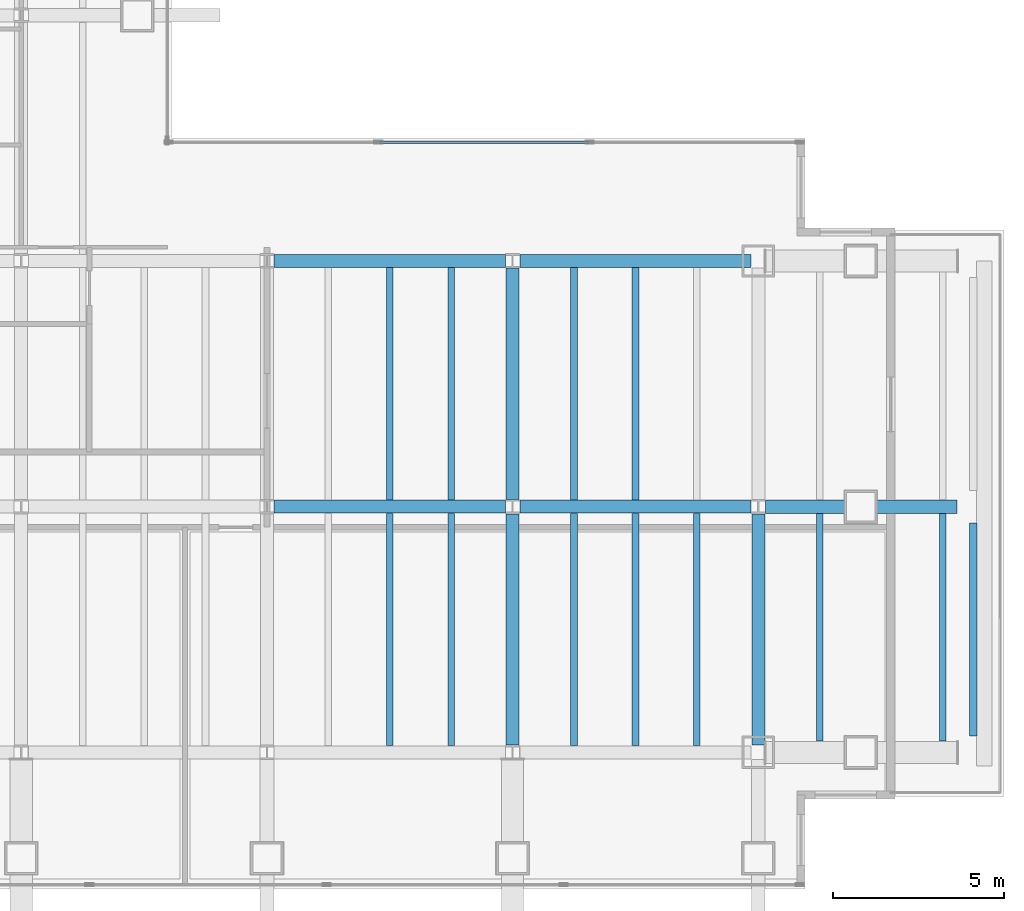
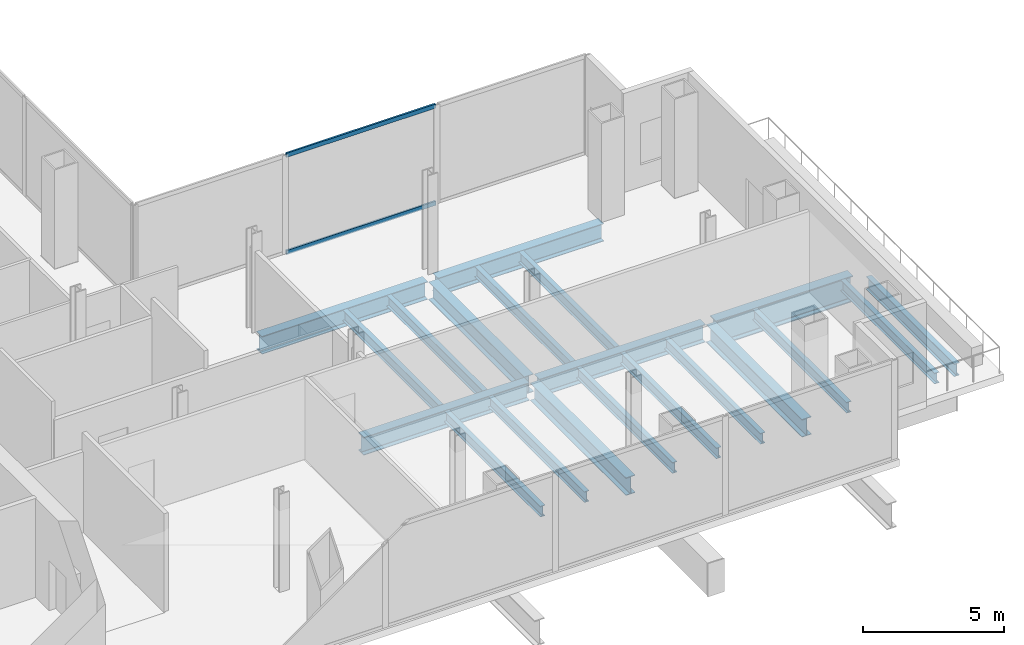
# One storey, part 7 of 16: 20 beams, 2 members, 1 element without a shape of its own.
"""IFC4 building model written with IfcOpenShell, lengths in metres."""

from ifc_helpers import new_model, si_unit, direction, frame, origin, origin_2d, place, context, subcontext, project, spatial, hollow_rectangle, i_section, extrude, material, material_profile, profile_set, type_object, element, aggregate, save


model = new_model("IFC4")

# Units and contexts
model_context = context("Model", 3, precision=1e-05, world=origin(), true_north=direction((0.0, 1.0)))
body_context = subcontext(model_context, "Body", "Model", "MODEL_VIEW")
ifc_project = project(units=[si_unit("LENGTHUNIT", "METRE"), si_unit("AREAUNIT", "SQUARE_METRE"), si_unit("VOLUMEUNIT", "CUBIC_METRE"), si_unit("PLANEANGLEUNIT", "RADIAN"), si_unit("MASSUNIT", "GRAM", prefix="KILO")], contexts=[model_context])

# Site, building, storey
site_placement = place(None, origin())
site = spatial("IfcSite", under=ifc_project, at=site_placement, CompositionType="ELEMENT")
building_placement = place(site_placement, origin())
building = spatial("IfcBuilding", under=site, at=building_placement, Name="Cobrela Telecom Tower", CompositionType="ELEMENT")
storey_placement = place(building_placement, frame((0.0, 0.0, 97.64990234375)))
storey = spatial("IfcBuildingStorey", under=building, at=storey_placement, Name="L24", CompositionType="ELEMENT", Elevation=97.64990234375)

# Beams
ifc_material_1 = material(Name="Steel ASTM A992 Grade 50", Category="steel")
ifc_material_profile_1 = material_profile(ifc_material_1, i_section(OverallWidth=0.381103515625, OverallDepth=0.77197265625, WebThickness=0.0166015625, FlangeThickness=0.027099609375, FilletRadius=0.01904296875, at=origin_2d()), Name="W30X173")
ifc_profile_set_1 = profile_set([ifc_material_profile_1], Name="Steel ASTM A992 Grade 50")
beam_type_1 = type_object("IfcBeamType", Name="BM-GIRD-04", PredefinedType="USERDEFINED", material=ifc_profile_set_1)
for number, where, z_axis, x_axis, name in (
    (1, (29.009521484375, 14.39990234375, -0.685791015625), (1.0, 0.0, 0.0), (0.0, 1.0, 0.0), "L24 Primary Girder X09"),
    (2, (36.20947265625, 14.39990234375, -0.685791015625), (1.0, 0.0, 0.0), (0.0, 1.0, 0.0), "L24 Primary Girder X10"),
    (3, (29.009521484375, 21.60009765625, -0.685791015625), (1.0, 0.0, 0.0), (0.0, 1.0, 0.0), "L24 Primary Girder X13"),
    (4, (36.20947265625, 21.60009765625, -0.685791015625), (1.0, 0.0, 0.0), (0.0, 1.0, 0.0), "L24 Primary Girder X14"),
    (5, (36.0, 7.409423828125, -0.685791015625), (0.0, 1.0, 0.0), (-1.0, 0.0, 0.0), "L24 Primary Girder Y34"),
):
    element("IfcBeam", number, at=place(storey_placement, frame(where, z_axis=z_axis, x_axis=x_axis)), inside=storey, type_object=beam_type_1, Name=name, ObjectType="GIRDER", PredefinedType="USERDEFINED", context=body_context, shape_type="SweptSolid", body=[
        extrude(i_section(OverallWidth=0.381103515625, OverallDepth=0.77197265625, WebThickness=0.0166015625, FlangeThickness=0.027099609375, FilletRadius=0.01904296875, at=origin_2d()), origin(), (0.0, 0.0, 1.0), 6.781005859375),
    ])
beam_1_placement = place(storey_placement, frame((36.0, 14.609619140625, -0.685791015625), z_axis=(0.0, 1.0, 0.0), x_axis=(-1.0, 0.0, 0.0)))
element("IfcBeam", 6, at=beam_1_placement, inside=storey, type_object=beam_type_1, Name="L24 Primary Girder Y35", ObjectType="GIRDER", PredefinedType="USERDEFINED", context=body_context, shape_type="SweptSolid", body=[
    extrude(i_section(OverallWidth=0.381103515625, OverallDepth=0.77197265625, WebThickness=0.0166015625, FlangeThickness=0.027099609375, FilletRadius=0.01904296875, at=origin_2d()), origin(), (0.0, 0.0, 1.0), 6.78076171875),
])
beam_2_placement = place(storey_placement, frame((43.199951171875, 7.409423828125, -0.685791015625), z_axis=(0.0, 1.0, 0.0), x_axis=(-1.0, 0.0, 0.0)))
element("IfcBeam", 7, at=beam_2_placement, inside=storey, type_object=beam_type_1, Name="L24 Primary Girder Y36", ObjectType="GIRDER", PredefinedType="USERDEFINED", context=body_context, shape_type="SweptSolid", body=[
    extrude(i_section(OverallWidth=0.381103515625, OverallDepth=0.77197265625, WebThickness=0.0166015625, FlangeThickness=0.027099609375, FilletRadius=0.01904296875, at=origin_2d()), origin(), (0.0, 0.0, 1.0), 6.781005859375),
])
ifc_material_profile_2 = material_profile(ifc_material_1, i_section(OverallWidth=0.193115234375, OverallDepth=0.467041015625, WebThickness=0.011474609375, FlangeThickness=0.01904296875, FilletRadius=0.012939453125, at=origin_2d()), Name="W18X65")
ifc_profile_set_2 = profile_set([ifc_material_profile_2], Name="Steel ASTM A992 Grade 50")
beam_type_2 = type_object("IfcBeamType", Name="BM-JOIST-03", PredefinedType="JOIST", material=ifc_profile_set_2)
for number, where, z_axis, x_axis, name in (
    (8, (32.39990234375, 7.3955078125, -0.533447265625), (0.0, 1.0, 0.0), (-1.0, 0.0, 0.0), "L24 Secondary Composite Floor Beam J29"),
    (9, (32.39990234375, 14.595458984375, -0.533447265625), (0.0, 1.0, 0.0), (-1.0, 0.0, 0.0), "L24 Secondary Composite Floor Beam J30"),
    (10, (34.199951171875, 7.3955078125, -0.533447265625), (0.0, 1.0, 0.0), (-1.0, 0.0, 0.0), "L24 Secondary Composite Floor Beam J31"),
    (11, (34.199951171875, 14.595458984375, -0.533447265625), (0.0, 1.0, 0.0), (-1.0, 0.0, 0.0), "L24 Secondary Composite Floor Beam J32"),
    (12, (37.800048828125, 7.3955078125, -0.533447265625), (0.0, 1.0, 0.0), (-1.0, 0.0, 0.0), "L24 Secondary Composite Floor Beam J33"),
    (13, (37.800048828125, 14.595458984375, -0.533447265625), (0.0, 1.0, 0.0), (-1.0, 0.0, 0.0), "L24 Secondary Composite Floor Beam J34"),
    (14, (39.60009765625, 7.3955078125, -0.533447265625), (0.0, 1.0, 0.0), (-1.0, 0.0, 0.0), "L24 Secondary Composite Floor Beam J35"),
    (15, (39.60009765625, 14.595458984375, -0.533447265625), (0.0, 1.0, 0.0), (-1.0, 0.0, 0.0), "L24 Secondary Composite Floor Beam J36"),
    (16, (41.39990234375, 7.3955078125, -0.533447265625), (0.0, 1.0, 0.0), (-1.0, 0.0, 0.0), "L24 Secondary Composite Floor Beam J37"),
):
    element("IfcBeam", number, at=place(storey_placement, frame(where, z_axis=z_axis, x_axis=x_axis)), inside=storey, type_object=beam_type_2, Name=name, PredefinedType="JOIST", context=body_context, shape_type="SweptSolid", body=[
        extrude(i_section(OverallWidth=0.193115234375, OverallDepth=0.467041015625, WebThickness=0.011474609375, FlangeThickness=0.01904296875, FilletRadius=0.012939453125, at=origin_2d()), origin(), (0.0, 0.0, 1.0), 6.80908203125),
    ])
for number, where, z_axis, x_axis, name in (
    (17, (45.0, 7.530029296875, -0.533447265625), (0.0, 1.0, 0.0), (-1.0, 0.0, 0.0), "L24 Secondary Composite Floor Beam J39"),
    (18, (48.60009765625, 7.530029296875, -0.533447265625), (0.0, 1.0, 0.0), (-1.0, 0.0, 0.0), "L24 Secondary Composite Floor Beam J41"),
):
    element("IfcBeam", number, at=place(storey_placement, frame(where, z_axis=z_axis, x_axis=x_axis)), inside=storey, type_object=beam_type_2, Name=name, PredefinedType="JOIST", context=body_context, shape_type="SweptSolid", body=[
        extrude(i_section(OverallWidth=0.193115234375, OverallDepth=0.467041015625, WebThickness=0.011474609375, FlangeThickness=0.01904296875, FilletRadius=0.012939453125, at=origin_2d()), origin(), (0.0, 0.0, 1.0), 6.6630859375),
    ])
ifc_material_profile_3 = material_profile(ifc_material_1, i_section(OverallWidth=0.212890625, OverallDepth=0.549072265625, WebThickness=0.0146484375, FlangeThickness=0.023681640625, FilletRadius=0.013916015625, at=origin_2d()), Name="W21X93")
ifc_profile_set_3 = profile_set([ifc_material_profile_3], Name="Steel ASTM A992 Grade 50")
beam_type_3 = type_object("IfcBeamType", Name="BM-SPAND-03", PredefinedType="SPANDREL", material=ifc_profile_set_3)
beam_3_placement = place(storey_placement, frame((49.5, 7.679931640625, -0.574462890625), z_axis=(0.0, 1.0, 0.0), x_axis=(-1.0, 0.0, 0.0)))
element("IfcBeam", 19, at=beam_3_placement, inside=storey, type_object=beam_type_3, Name="L24 Perimeter Spandrel Y38", PredefinedType="SPANDREL", context=body_context, shape_type="SweptSolid", body=[
    extrude(i_section(OverallWidth=0.212890625, OverallDepth=0.549072265625, WebThickness=0.0146484375, FlangeThickness=0.023681640625, FilletRadius=0.013916015625, at=origin_2d()), origin(), (0.0, 0.0, 1.0), 6.239990234375),
])
ifc_material_profile_4 = material_profile(ifc_material_1, i_section(OverallWidth=0.404052734375, OverallDepth=1.117919921875, WebThickness=0.02587890625, FlangeThickness=0.044921875, FilletRadius=0.02490234375, at=origin_2d()), Name="W44X335")
ifc_profile_set_4 = profile_set([ifc_material_profile_4], Name="Steel ASTM A992 Grade 50")
beam_type_4 = type_object("IfcBeamType", Name="BM-TRG-W44", PredefinedType="USERDEFINED", material=ifc_profile_set_4)
beam_4_placement = place(storey_placement, frame((43.409423828125, 14.39990234375, -0.85888671875), z_axis=(1.0, 0.0, 0.0), x_axis=(0.0, 1.0, 0.0)))
element("IfcBeam", 20, at=beam_4_placement, inside=storey, type_object=beam_type_4, Name="L24 Transfer Girder 10", ObjectType="GIRDER", PredefinedType="USERDEFINED", context=body_context, shape_type="SweptSolid", body=[
    extrude(i_section(OverallWidth=0.404052734375, OverallDepth=1.117919921875, WebThickness=0.02587890625, FlangeThickness=0.044921875, FilletRadius=0.02490234375, at=origin_2d()), origin(), (0.0, 0.0, 1.0), 5.610595703125),
])

# Curtain wall, members
ifc_material_2 = material(Name="Anodized Bronze Aluminium 6063-T6", Category="aluminium")
curtain_wall_type = type_object("IfcCurtainWallType", Name="CW-SYS-SKY", PredefinedType="USERDEFINED", material=ifc_material_2)
curtain_wall_placement = place(storey_placement, origin())
curtain_wall = element("IfcCurtainWall", 21, at=curtain_wall_placement, inside=storey, type_object=curtain_wall_type, Name="L24 Unitised Bronze Curtain Wall 11", ObjectType="UNITISED CURTAIN WALL", PredefinedType="USERDEFINED")
ifc_material_profile_5 = material_profile(ifc_material_2, hollow_rectangle(XDim=0.074951171875, YDim=0.179931640625, WallThickness=0.00390625, at=origin_2d()), Name="ALU 75x180x4")
ifc_profile_set_5 = profile_set([ifc_material_profile_5], Name="Anodized Bronze Aluminium 6063-T6")
member_type = type_object("IfcMemberType", Name="CW-SYS-SKY-TRN", PredefinedType="USERDEFINED", material=ifc_profile_set_5)
member_1_placement = place(storey_placement, frame((32.110107421875, 25.080078125, 0.03759765625), z_axis=(1.0, 0.0, 0.0), x_axis=(0.0, 1.0, 0.0)))
member_1 = element("IfcMember", 22, at=member_1_placement, type_object=member_type, Name="CW-SKY transom 2.1", ObjectType="TRANSOM", PredefinedType="USERDEFINED", context=body_context, shape_type="SweptSolid", body=[
    extrude(hollow_rectangle(XDim=0.074951171875, YDim=0.179931640625, WallThickness=0.00390625, at=origin_2d()), origin(), (0.0, 0.0, 1.0), 6.10986328125),
])
member_2_placement = place(storey_placement, frame((32.110107421875, 25.080078125, 4.24267578125), z_axis=(1.0, 0.0, 0.0), x_axis=(0.0, 1.0, 0.0)))
member_2 = element("IfcMember", 23, at=member_2_placement, type_object=member_type, Name="CW-SKY transom 2.2", ObjectType="TRANSOM", PredefinedType="USERDEFINED", context=body_context, shape_type="SweptSolid", body=[
    extrude(hollow_rectangle(XDim=0.074951171875, YDim=0.179931640625, WallThickness=0.00390625, at=origin_2d()), origin(), (0.0, 0.0, 1.0), 6.10986328125),
])
aggregate(curtain_wall, [member_1, member_2])

save(model, "model.ifc")
